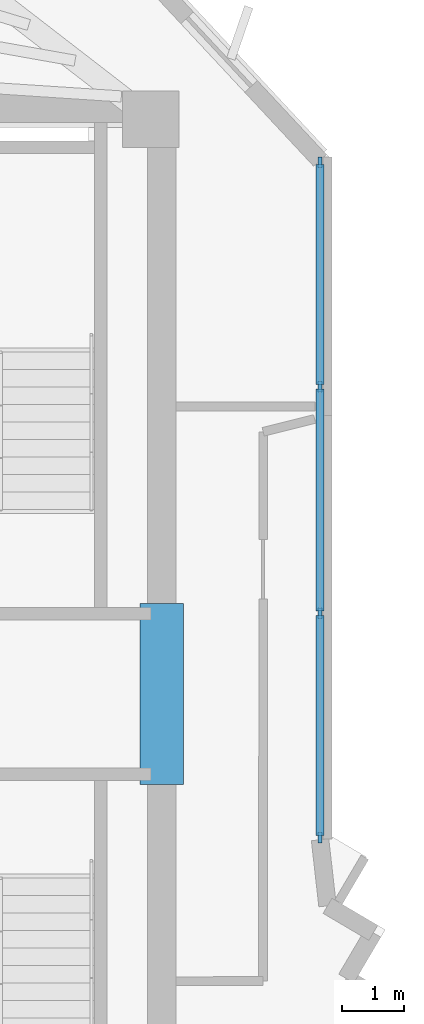
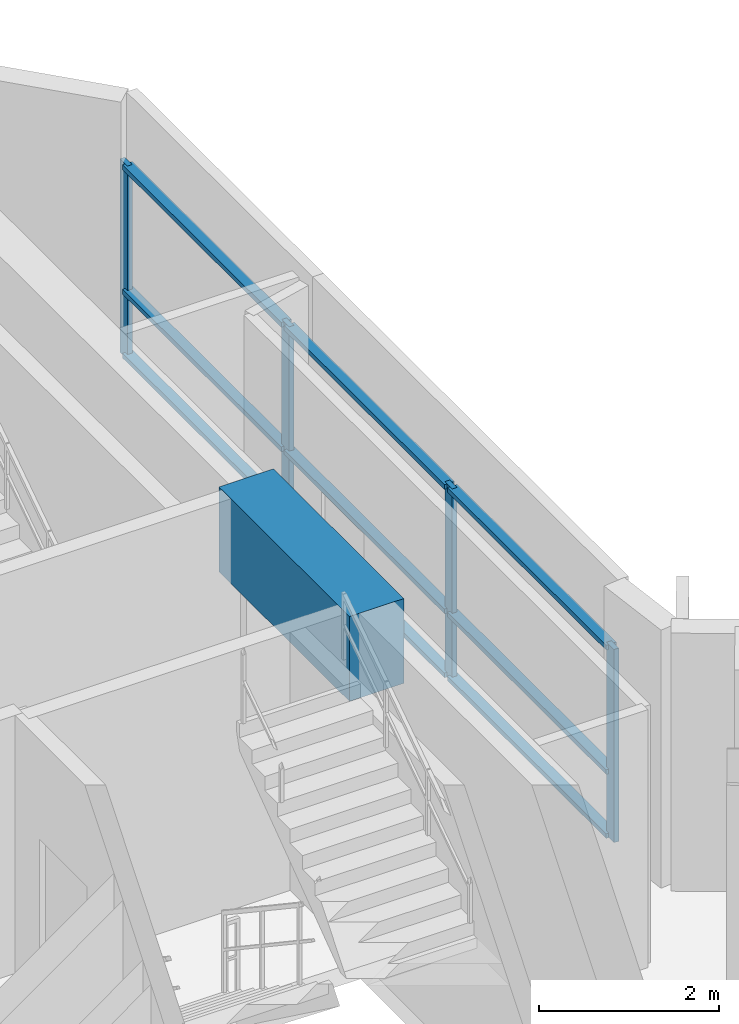
# One storey, part 2 of 10: 13 members, 1 beam, 1 element without a shape of its own.
"""IFC4 building model written with IfcOpenShell, lengths in metres."""

from ifc_helpers import new_model, si_unit, direction, frame, origin, origin_2d, place, context, subcontext, project, spatial, rectangle, extrude, source, transform, mapped, material, layer, layer_set, material_profile, profile_set, type_object, element, aggregate, save


model = new_model("IFC4")

# Units and contexts
model_context = context("Model", 3, precision=1e-05, world=origin(), true_north=direction((0.0, 1.0)))
body_context = subcontext(model_context, "Body", "Model", "MODEL_VIEW")
ifc_project = project(units=[si_unit("LENGTHUNIT", "METRE"), si_unit("AREAUNIT", "SQUARE_METRE"), si_unit("VOLUMEUNIT", "CUBIC_METRE"), si_unit("PLANEANGLEUNIT", "RADIAN"), si_unit("MASSUNIT", "GRAM", prefix="KILO")], contexts=[model_context])

# Site, building, storey
site_placement = place(None, origin())
site = spatial("IfcSite", under=ifc_project, at=site_placement, CompositionType="ELEMENT")
building_placement = place(site_placement, origin())
building = spatial("IfcBuilding", under=site, at=building_placement, Name="Zahravan Cultural Tower", CompositionType="ELEMENT")
storey_placement = place(building_placement, frame((0.0, 0.0, 346.050048828125)))
storey = spatial("IfcBuildingStorey", under=building, at=storey_placement, Name="L84", CompositionType="ELEMENT", Elevation=346.050048828125)

# Beam
ifc_material_1 = material(Name="Concrete C50/60", Category="concrete")
ifc_material_profile_1 = material_profile(ifc_material_1, rectangle(XDim=0.699951171875, YDim=1.14990234375, at=origin_2d()), Name="RC700X1150")
ifc_profile_set_1 = profile_set([ifc_material_profile_1], Name="Concrete C50/60")
beam_type = type_object("IfcBeamType", Name="BM-LN-RC700X1150", PredefinedType="LINTEL", material=ifc_profile_set_1)
shared_shape_1 = source(origin(), body_context, "Body", "SweptSolid", [
    extrude(rectangle(XDim=0.699951171875, YDim=1.14990234375, at=origin_2d()), origin(), (0.0, 0.0, 1.0), 2.89990234375),
])
beam_placement = place(storey_placement, frame((50.52490234375, 25.550048828125, 2.925048828125), z_axis=(0.0, 1.0, 0.0), x_axis=(-1.0, 0.0, 0.0)))
element("IfcBeam", 1, at=beam_placement, inside=storey, type_object=beam_type, Name="L84 Beam LN-L84-PEE", PredefinedType="LINTEL", context=body_context, shape_type="MappedRepresentation", body=[
    mapped(shared_shape_1, transform((0.0, 0.0, 0.0), x_axis=(1.0, 0.0, 0.0), y_axis=(0.0, 1.0, 0.0), z_axis=(0.0, 0.0, 1.0), scale=1.0)),
])

# Curtain wall, members
ifc_material_2 = material(Name="Anodised bronze-aluminium mullion", Category="aluminium")
ifc_layer = layer(ifc_material_2, 0.1650390625)
ifc_layer_set = layer_set([ifc_layer], Name="Anodised bronze-aluminium mullion")
curtain_wall_type = type_object("IfcCurtainWallType", Name="CW-SYS-4", PredefinedType="USERDEFINED", material=ifc_layer_set)
curtain_wall_placement = place(storey_placement, origin())
curtain_wall = element("IfcCurtainWall", 2, at=curtain_wall_placement, inside=storey, type_object=curtain_wall_type, Name="L84 Recessed Curtain Wall CW-4.1", ObjectType="RECESSED GLAZING", PredefinedType="USERDEFINED")
ifc_material_profile_2 = material_profile(ifc_material_2, rectangle(XDim=0.06494140625, YDim=0.1650390625, at=origin_2d()), Name="AL-M65X165")
ifc_profile_set_2 = profile_set([ifc_material_profile_2], Name="Anodised bronze-aluminium mullion")
member_type_1 = type_object("IfcMemberType", Name="CWM-CW-4", PredefinedType="MULLION", material=ifc_profile_set_2)
shared_shape_2 = source(origin(), body_context, "Body", "SweptSolid", [
    extrude(rectangle(XDim=0.06494140625, YDim=0.1650390625, at=origin_2d()), origin(), (0.0, 0.0, 1.0), 2.619873046875),
])
member_1_placement = place(storey_placement, frame((53.06005859375, 35.509521484375, 0.0), z_axis=(0.0, 0.0, 1.0), x_axis=(1.0, 0.0, 0.0)))
member_1 = element("IfcMember", 3, at=member_1_placement, type_object=member_type_1, Name="CW-4 mullion 1", PredefinedType="MULLION", context=body_context, shape_type="MappedRepresentation", body=[
    mapped(shared_shape_2, transform((0.0, 0.0, 0.0), x_axis=(1.0, 0.0, 0.0), y_axis=(0.0, 1.0, 0.0), z_axis=(0.0, 0.0, 1.0), scale=1.0)),
])
member_2_placement = place(storey_placement, frame((53.06005859375, 31.916015625, 0.0), z_axis=(0.0, 0.0, 1.0), x_axis=(1.0, 0.0, 0.0)))
member_2 = element("IfcMember", 4, at=member_2_placement, type_object=member_type_1, Name="CW-4 mullion 2", PredefinedType="MULLION", context=body_context, shape_type="MappedRepresentation", body=[
    mapped(shared_shape_2, transform((0.0, 0.0, 0.0), x_axis=(1.0, 0.0, 0.0), y_axis=(0.0, 1.0, 0.0), z_axis=(0.0, 0.0, 1.0), scale=1.0)),
])
member_3_placement = place(storey_placement, frame((53.06005859375, 28.290283203125, 0.0), z_axis=(0.0, 0.0, 1.0), x_axis=(1.0, 0.0, 0.0)))
member_3 = element("IfcMember", 5, at=member_3_placement, type_object=member_type_1, Name="CW-4 mullion 3", PredefinedType="MULLION", context=body_context, shape_type="MappedRepresentation", body=[
    mapped(shared_shape_2, transform((0.0, 0.0, 0.0), x_axis=(1.0, 0.0, 0.0), y_axis=(0.0, 1.0, 0.0), z_axis=(0.0, 0.0, 1.0), scale=1.0)),
])
member_4_placement = place(storey_placement, frame((53.06005859375, 24.697021484375, 0.0), z_axis=(0.0, 0.0, 1.0), x_axis=(1.0, 0.0, 0.0)))
member_4 = element("IfcMember", 6, at=member_4_placement, type_object=member_type_1, Name="CW-4 mullion 4", PredefinedType="MULLION", context=body_context, shape_type="MappedRepresentation", body=[
    mapped(shared_shape_2, transform((0.0, 0.0, 0.0), x_axis=(1.0, 0.0, 0.0), y_axis=(0.0, 1.0, 0.0), z_axis=(0.0, 0.0, 1.0), scale=1.0)),
])
ifc_material_profile_3 = material_profile(ifc_material_2, rectangle(XDim=0.1298828125, YDim=0.06494140625, at=origin_2d()), Name="AL-T65X130")
ifc_profile_set_3 = profile_set([ifc_material_profile_3], Name="Anodised bronze-aluminium mullion")
member_type_2 = type_object("IfcMemberType", Name="CWT-CW-4", PredefinedType="USERDEFINED", material=ifc_profile_set_3)
shared_shape_3 = source(origin(), body_context, "Body", "SweptSolid", [
    extrude(rectangle(XDim=0.1298828125, YDim=0.06494140625, at=origin_2d()), origin(), (0.0, 0.0, 1.0), 3.5283203125),
])
member_5_placement = place(storey_placement, frame((53.06005859375, 35.47705078125, 0.032470703125), z_axis=(0.0, -1.0, 0.0), x_axis=(1.0, 0.0, 0.0)))
member_5 = element("IfcMember", 7, at=member_5_placement, type_object=member_type_2, Name="CW-4 transom 1.1", ObjectType="TRANSOM", PredefinedType="USERDEFINED", context=body_context, shape_type="MappedRepresentation", body=[
    mapped(shared_shape_3, transform((0.0, 0.0, 0.0), x_axis=(1.0, 0.0, 0.0), y_axis=(0.0, 1.0, 0.0), z_axis=(0.0, 0.0, 1.0), scale=1.0)),
])
member_6_placement = place(storey_placement, frame((53.06005859375, 35.47705078125, 0.89990234375), z_axis=(0.0, -1.0, 0.0), x_axis=(1.0, 0.0, 0.0)))
member_6 = element("IfcMember", 8, at=member_6_placement, type_object=member_type_2, Name="CW-4 transom 1.2", ObjectType="TRANSOM", PredefinedType="USERDEFINED", context=body_context, shape_type="MappedRepresentation", body=[
    mapped(shared_shape_3, transform((0.0, 0.0, 0.0), x_axis=(1.0, 0.0, 0.0), y_axis=(0.0, 1.0, 0.0), z_axis=(0.0, 0.0, 1.0), scale=1.0)),
])
member_7_placement = place(storey_placement, frame((53.06005859375, 35.47705078125, 2.58740234375), z_axis=(0.0, -1.0, 0.0), x_axis=(1.0, 0.0, 0.0)))
member_7 = element("IfcMember", 9, at=member_7_placement, type_object=member_type_2, Name="CW-4 transom 1.3", ObjectType="TRANSOM", PredefinedType="USERDEFINED", context=body_context, shape_type="MappedRepresentation", body=[
    mapped(shared_shape_3, transform((0.0, 0.0, 0.0), x_axis=(1.0, 0.0, 0.0), y_axis=(0.0, 1.0, 0.0), z_axis=(0.0, 0.0, 1.0), scale=1.0)),
])
member_8_placement = place(storey_placement, frame((53.06005859375, 28.2578125, 0.032470703125), z_axis=(0.0, -1.0, 0.0), x_axis=(1.0, 0.0, 0.0)))
member_8 = element("IfcMember", 10, at=member_8_placement, type_object=member_type_2, Name="CW-4 transom 3.1", ObjectType="TRANSOM", PredefinedType="USERDEFINED", context=body_context, shape_type="MappedRepresentation", body=[
    mapped(shared_shape_3, transform((0.0, 0.0, 0.0), x_axis=(1.0, 0.0, 0.0), y_axis=(0.0, 1.0, 0.0), z_axis=(0.0, 0.0, 1.0), scale=1.0)),
])
member_9_placement = place(storey_placement, frame((53.06005859375, 28.2578125, 0.89990234375), z_axis=(0.0, -1.0, 0.0), x_axis=(1.0, 0.0, 0.0)))
member_9 = element("IfcMember", 11, at=member_9_placement, type_object=member_type_2, Name="CW-4 transom 3.2", ObjectType="TRANSOM", PredefinedType="USERDEFINED", context=body_context, shape_type="MappedRepresentation", body=[
    mapped(shared_shape_3, transform((0.0, 0.0, 0.0), x_axis=(1.0, 0.0, 0.0), y_axis=(0.0, 1.0, 0.0), z_axis=(0.0, 0.0, 1.0), scale=1.0)),
])
member_10_placement = place(storey_placement, frame((53.06005859375, 28.2578125, 2.58740234375), z_axis=(0.0, -1.0, 0.0), x_axis=(1.0, 0.0, 0.0)))
member_10 = element("IfcMember", 12, at=member_10_placement, type_object=member_type_2, Name="CW-4 transom 3.3", ObjectType="TRANSOM", PredefinedType="USERDEFINED", context=body_context, shape_type="MappedRepresentation", body=[
    mapped(shared_shape_3, transform((0.0, 0.0, 0.0), x_axis=(1.0, 0.0, 0.0), y_axis=(0.0, 1.0, 0.0), z_axis=(0.0, 0.0, 1.0), scale=1.0)),
])
shared_shape_4 = source(origin(), body_context, "Body", "SweptSolid", [
    extrude(rectangle(XDim=0.1298828125, YDim=0.06494140625, at=origin_2d()), origin(), (0.0, 0.0, 1.0), 3.560791015625),
])
member_11_placement = place(storey_placement, frame((53.06005859375, 31.883544921875, 0.032470703125), z_axis=(0.0, -1.0, 0.0), x_axis=(1.0, 0.0, 0.0)))
member_11 = element("IfcMember", 13, at=member_11_placement, type_object=member_type_2, Name="CW-4 transom 2.1", ObjectType="TRANSOM", PredefinedType="USERDEFINED", context=body_context, shape_type="MappedRepresentation", body=[
    mapped(shared_shape_4, transform((0.0, 0.0, 0.0), x_axis=(1.0, 0.0, 0.0), y_axis=(0.0, 1.0, 0.0), z_axis=(0.0, 0.0, 1.0), scale=1.0)),
])
member_12_placement = place(storey_placement, frame((53.06005859375, 31.883544921875, 0.89990234375), z_axis=(0.0, -1.0, 0.0), x_axis=(1.0, 0.0, 0.0)))
member_12 = element("IfcMember", 14, at=member_12_placement, type_object=member_type_2, Name="CW-4 transom 2.2", ObjectType="TRANSOM", PredefinedType="USERDEFINED", context=body_context, shape_type="MappedRepresentation", body=[
    mapped(shared_shape_4, transform((0.0, 0.0, 0.0), x_axis=(1.0, 0.0, 0.0), y_axis=(0.0, 1.0, 0.0), z_axis=(0.0, 0.0, 1.0), scale=1.0)),
])
member_13_placement = place(storey_placement, frame((53.06005859375, 31.883544921875, 2.58740234375), z_axis=(0.0, -1.0, 0.0), x_axis=(1.0, 0.0, 0.0)))
member_13 = element("IfcMember", 15, at=member_13_placement, type_object=member_type_2, Name="CW-4 transom 2.3", ObjectType="TRANSOM", PredefinedType="USERDEFINED", context=body_context, shape_type="MappedRepresentation", body=[
    mapped(shared_shape_4, transform((0.0, 0.0, 0.0), x_axis=(1.0, 0.0, 0.0), y_axis=(0.0, 1.0, 0.0), z_axis=(0.0, 0.0, 1.0), scale=1.0)),
])
aggregate(curtain_wall, [member_1, member_2, member_3, member_4, member_5, member_6, member_7, member_11, member_12, member_13, member_8, member_9, member_10])

save(model, "model.ifc")
